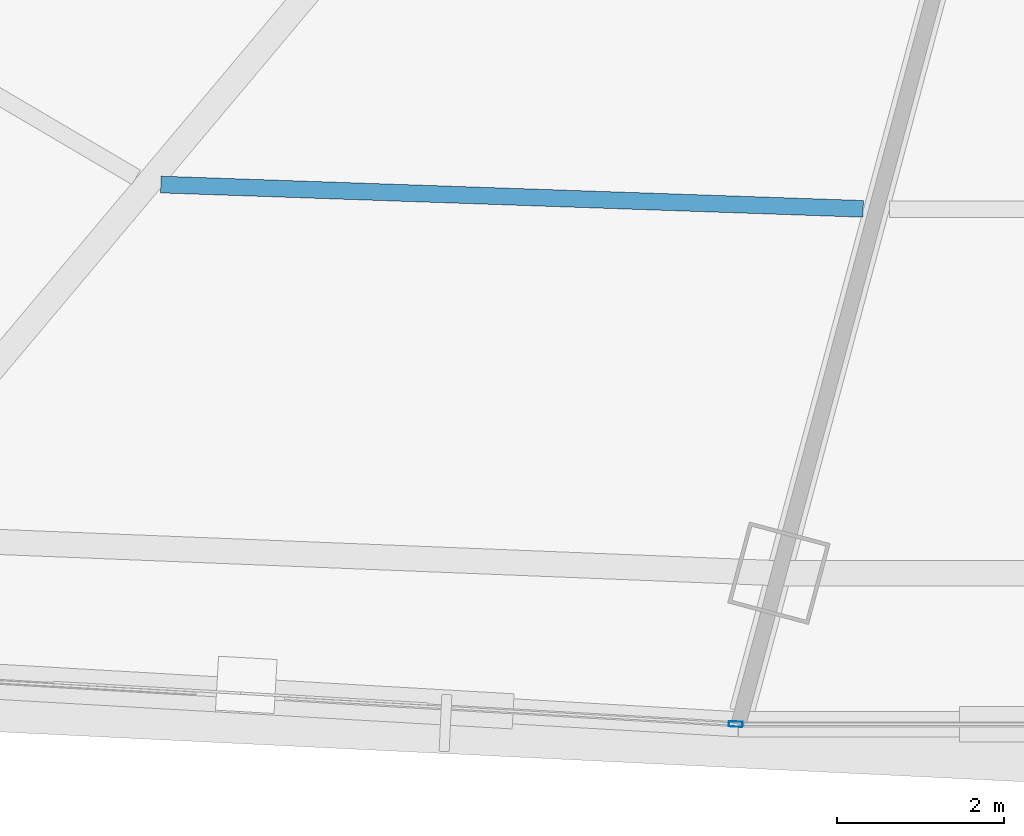
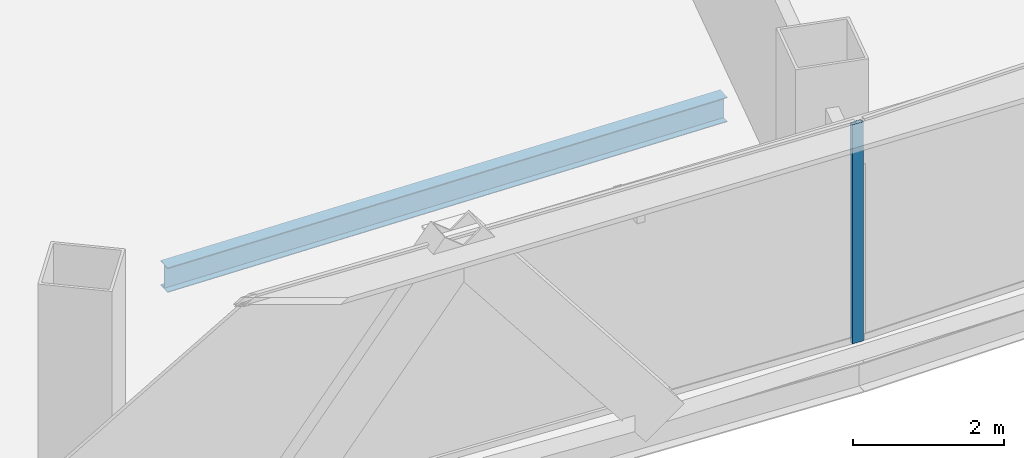
# One storey, part 8 of 39: 1 beam, 1 member, 1 element without a shape of its own.
"""IFC4 building model written with IfcOpenShell, lengths in metres."""

from ifc_helpers import new_model, si_unit, direction, frame, origin, origin_2d, place, context, subcontext, project, spatial, hollow_rectangle, i_section, extrude, source, transform, mapped, material, layer, layer_set, material_profile, profile_set, type_object, element, aggregate, save


model = new_model("IFC4")

# Units and contexts
model_context = context("Model", 3, precision=1e-05, world=origin(), true_north=direction((0.0, 1.0)))
body_context = subcontext(model_context, "Body", "Model", "MODEL_VIEW")
ifc_project = project(units=[si_unit("LENGTHUNIT", "METRE"), si_unit("AREAUNIT", "SQUARE_METRE"), si_unit("VOLUMEUNIT", "CUBIC_METRE"), si_unit("PLANEANGLEUNIT", "RADIAN"), si_unit("MASSUNIT", "GRAM", prefix="KILO"), si_unit("THERMODYNAMICTEMPERATUREUNIT", "KELVIN"), si_unit("POWERUNIT", "WATT")], contexts=[model_context])

# Site, building, storey
site_placement = place(None, origin())
site = spatial("IfcSite", under=ifc_project, at=site_placement, CompositionType="ELEMENT")
building_placement = place(site_placement, origin())
building = spatial("IfcBuilding", under=site, at=building_placement, Name="Yunzhuo Pagoda Commons", CompositionType="ELEMENT")
storey_placement = place(building_placement, frame((0.0, 0.0, 100.179931640625)))
storey = spatial("IfcBuildingStorey", under=building, at=storey_placement, Name="L25", CompositionType="ELEMENT", Elevation=100.179931640625)

# Beam
ifc_material_1 = material(Name="Structural steel Q355B", Category="steel")
ifc_material_profile_1 = material_profile(ifc_material_1, i_section(OverallWidth=0.199951171875, OverallDepth=0.39990234375, WebThickness=0.008056640625, FlangeThickness=0.012939453125, at=origin_2d()), Name="Structural steel Q355B")
ifc_profile_set_1 = profile_set([ifc_material_profile_1], Name="Structural steel Q355B")
beam_type = type_object("IfcBeamType", Name="B-JS1 Joist HN 400x200x8x13", PredefinedType="JOIST", material=ifc_profile_set_1)
shared_shape_1 = source(origin(), body_context, "Body", "SweptSolid", [
    extrude(i_section(OverallWidth=0.199951171875, OverallDepth=0.39990234375, WebThickness=0.008056640625, FlangeThickness=0.012939453125, at=origin_2d()), origin(), (0.0, 0.0, 1.0), 8.392822265625),
])
beam_placement = place(storey_placement, frame((35.25048828125, 18.310791015625, -0.4599609375), z_axis=(0.999400667027, -0.034616567521, 0.0), x_axis=(0.034616567521, 0.999400667027, 0.0)))
element("IfcBeam", 1, at=beam_placement, inside=storey, type_object=beam_type, Name="L25 composite ring joist 2.1", PredefinedType="JOIST", context=body_context, shape_type="MappedRepresentation", body=[
    mapped(shared_shape_1, transform((0.0, 0.0, 0.0), scale=1.0)),
])

# Curtain wall, member
ifc_material_2 = material(Name="Anodized aluminium 6063-T6", Category="aluminium")
ifc_layer = layer(ifc_material_2, 0.1650390625)
ifc_layer_set = layer_set([ifc_layer], Name="Anodized aluminium 6063-T6")
curtain_wall_type = type_object("IfcCurtainWallType", Name="CW-LOW Low-Zone Ribbon Curtain Wall", PredefinedType="NOTDEFINED", material=ifc_layer_set)
curtain_wall_placement = place(storey_placement, origin())
curtain_wall = element("IfcCurtainWall", 2, at=curtain_wall_placement, inside=storey, type_object=curtain_wall_type, Name="L25 curtain wall CW-L25-F1B2", PredefinedType="NOTDEFINED")
ifc_material_profile_2 = material_profile(ifc_material_2, hollow_rectangle(XDim=0.06494140625, YDim=0.1650390625, WallThickness=0.00390625, at=origin_2d()), Name="Anodized aluminium 6063-T6")
ifc_profile_set_2 = profile_set([ifc_material_profile_2], Name="Anodized aluminium 6063-T6")
member_type = type_object("IfcMemberType", Name="CW-LOW-M Mullion RHS 165x65x4", PredefinedType="MULLION", material=ifc_profile_set_2)
shared_shape_2 = source(origin(), body_context, "Body", "SweptSolid", [
    extrude(hollow_rectangle(XDim=0.06494140625, YDim=0.1650390625, WallThickness=0.00390625, at=origin_2d()), origin(), (0.0, 0.0, 1.0), 3.5400390625),
])
member_placement = place(storey_placement, frame((42.11669921875, 11.865966796875, 0.0), z_axis=(0.0, 0.0, 1.0), x_axis=(0.057299493103, 0.998357034377, 0.0)))
member = element("IfcMember", 3, at=member_placement, type_object=member_type, Name="CW mullion 2", PredefinedType="MULLION", context=body_context, shape_type="MappedRepresentation", body=[
    mapped(shared_shape_2, transform((0.0, 0.0, 0.0), scale=1.0)),
])
aggregate(curtain_wall, [member])

save(model, "model.ifc")
